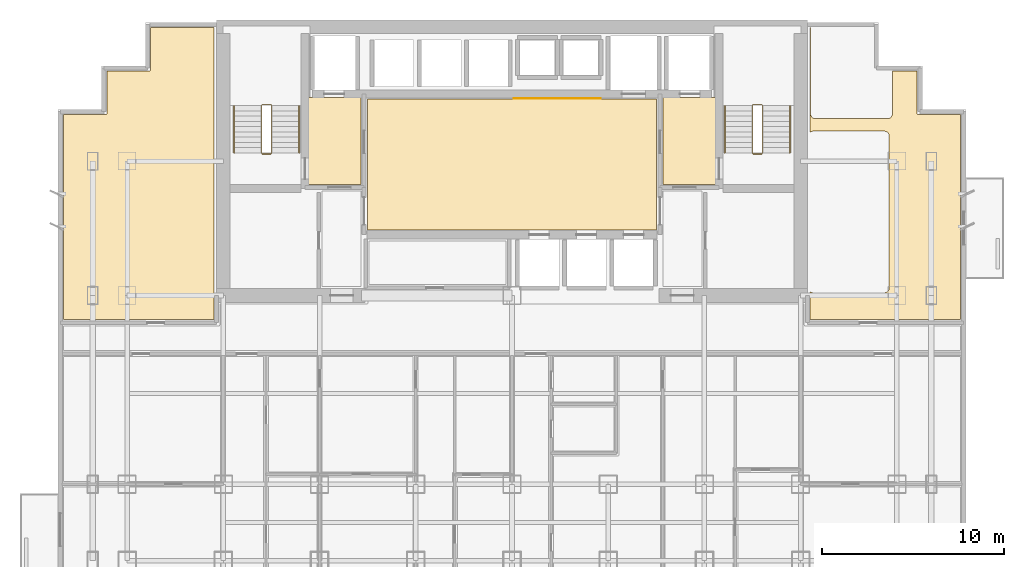
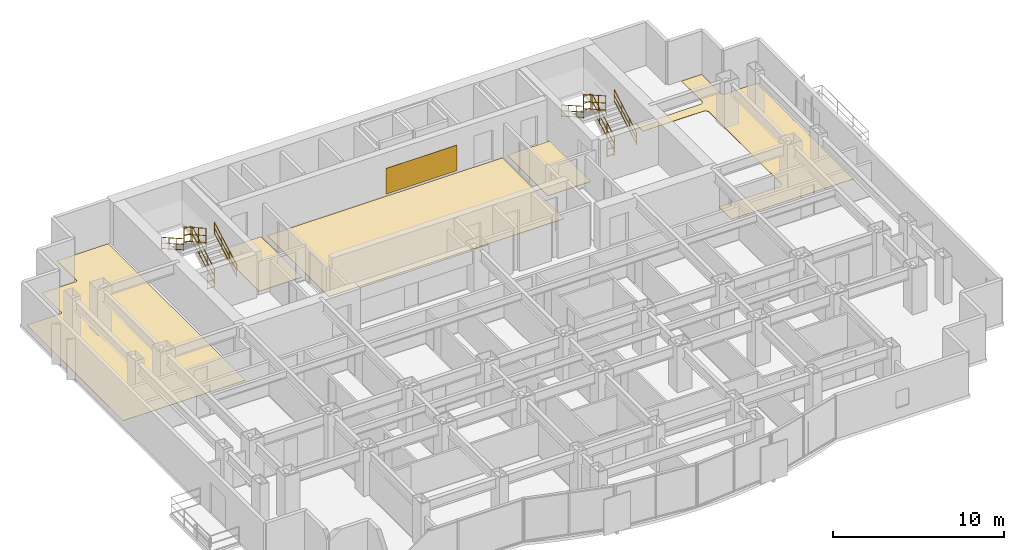
# One storey, part 10 of 10: 12 railings, 6 coverings.
"""IFC4 building model written with IfcOpenShell, lengths in metres."""

from ifc_helpers import new_model, si_unit, direction, frame, origin, origin_2d, place, context, subcontext, project, spatial, polyline, circle, outline, extrude, material, layer, layer_set, type_object, element, save


model = new_model("IFC4")

# Units and contexts
model_context = context("Model", 3, precision=1e-05, world=origin(), true_north=direction((0.0, 1.0)))
body_context = subcontext(model_context, "Body", "Model", "MODEL_VIEW")
ifc_project = project(units=[si_unit("LENGTHUNIT", "METRE"), si_unit("AREAUNIT", "SQUARE_METRE"), si_unit("VOLUMEUNIT", "CUBIC_METRE"), si_unit("PLANEANGLEUNIT", "RADIAN"), si_unit("MASSUNIT", "GRAM", prefix="KILO")], contexts=[model_context])

# Site, building, storey
site_placement = place(None, origin())
site = spatial("IfcSite", under=ifc_project, at=site_placement, CompositionType="ELEMENT")
building_placement = place(site_placement, origin())
building = spatial("IfcBuilding", under=site, at=building_placement, Name="Qianlan Lanfeng Residences", CompositionType="ELEMENT")
storey_placement = place(building_placement, frame((0.0, 0.0, 98.199951171875)))
storey = spatial("IfcBuildingStorey", under=building, at=storey_placement, Name="L26", CompositionType="ELEMENT", Elevation=98.199951171875)

# Coverings
ifc_material_1 = material(Name="Anodised Bronze Feature Wall Cladding")
ifc_layer_1 = layer(ifc_material_1, 0.02490234375)
ifc_layer_set_1 = layer_set([ifc_layer_1], Name="Anodised Bronze Feature Wall Cladding")
covering_type_1 = type_object("IfcCoveringType", Name="CLD-BRZ-25", PredefinedType="CLADDING", material=ifc_layer_set_1)
covering_1_placement = place(storey_placement, frame((0.0, 0.0, 0.150146484375)))
element("IfcCovering", 1, at=covering_1_placement, inside=storey, type_object=covering_type_1, Name="L26 Lift Lobby Bronze Feature Cladding", PredefinedType="CLADDING", context=body_context, shape_type="SweptSolid", body=[
    extrude(outline(polyline([(26.60009765625, 36.050048828125), (31.39990234375, 36.050048828125), (31.39990234375, 36.074951171875), (26.60009765625, 36.074951171875), (26.60009765625, 36.050048828125)])), origin(), (0.0, 0.0, 1.0), 1.829833984375),
])
ifc_material_2 = material(Name="Honed Taitung Granite Stone Flooring", Category="masonry")
ifc_layer_2 = layer(ifc_material_2, 0.030029296875)
ifc_layer_set_2 = layer_set([ifc_layer_2], Name="Honed Taitung Granite Stone Flooring")
covering_type_2 = type_object("IfcCoveringType", Name="FLR-STN-30", PredefinedType="FLOORING", material=ifc_layer_set_2)
covering_2_placement = place(storey_placement, origin())
element("IfcCovering", 2, at=covering_2_placement, inside=storey, type_object=covering_type_2, Name="L26 Firefighting Lift Lobby Floor Finish", PredefinedType="FLOORING", context=body_context, shape_type="SweptSolid", body=[
    extrude(outline(polyline([(15.2900390625, 31.320068359375), (18.179931640625, 31.320068359375), (18.179931640625, 36.110107421875), (15.2900390625, 36.110107421875), (15.2900390625, 31.320068359375)])), origin(), (0.0, 0.0, 1.0), 0.030029296875),
])
covering_3_placement = place(storey_placement, origin())
element("IfcCovering", 3, at=covering_3_placement, inside=storey, type_object=covering_type_2, Name="L26 Firefighting Lift Lobby Floor Finish", PredefinedType="FLOORING", context=body_context, shape_type="SweptSolid", body=[
    extrude(outline(polyline([(34.820068359375, 31.320068359375), (37.7099609375, 31.320068359375), (37.7099609375, 36.110107421875), (34.820068359375, 36.110107421875), (34.820068359375, 31.320068359375)])), origin(), (0.0, 0.0, 1.0), 0.030029296875),
])
covering_4_placement = place(storey_placement, origin())
element("IfcCovering", 4, at=covering_4_placement, inside=storey, type_object=covering_type_2, Name="L26 Lift Lobby Floor Finish", PredefinedType="FLOORING", context=body_context, shape_type="SweptSolid", body=[
    extrude(outline(polyline([(18.550048828125, 28.820068359375), (34.449951171875, 28.820068359375), (34.449951171875, 36.010009765625), (18.550048828125, 36.010009765625), (18.550048828125, 28.820068359375)])), origin(), (0.0, 0.0, 1.0), 0.030029296875),
])
ifc_material_3 = material(Name="Engineered Smoked Oak Timber Flooring", Category="wood")
ifc_layer_3 = layer(ifc_material_3, 0.02197265625)
ifc_layer_set_3 = layer_set([ifc_layer_3], Name="Engineered Smoked Oak Timber Flooring")
covering_type_3 = type_object("IfcCoveringType", Name="FLR-TIM-22", PredefinedType="FLOORING", material=ifc_layer_set_3)
covering_5_placement = place(storey_placement, origin())
element("IfcCovering", 5, at=covering_5_placement, inside=storey, type_object=covering_type_3, Name="L26 Sky Salon Floor Finish", PredefinedType="FLOORING", context=body_context, shape_type="SweptSolid", body=[
    extrude(outline(polyline([(10.074951171875, 23.8701171875), (10.074951171875, 39.9599609375), (6.590087890625, 39.9599609375), (6.590087890625, 37.6298828125), (6.590087890625, 37.623046875), (6.589111328125, 37.615966796875), (6.5869140625, 37.610107421875), (6.5849609375, 37.60302734375), (6.58203125, 37.596923828125), (6.577880859375, 37.591064453125), (6.573974609375, 37.5859375), (6.569091796875, 37.5810546875), (6.56396484375, 37.575927734375), (6.55908203125, 37.572021484375), (6.552978515625, 37.568115234375), (6.547119140625, 37.56494140625), (6.5400390625, 37.56298828125), (6.533935546875, 37.56103515625), (6.527099609375, 37.56005859375), (6.52001953125, 37.56005859375), (4.18994140625, 37.56005859375), (4.18994140625, 35.22998046875), (4.18994140625, 35.222900390625), (4.18896484375, 35.216064453125), (4.18701171875, 35.2099609375), (4.18505859375, 35.202880859375), (4.181884765625, 35.197021484375), (4.177978515625, 35.19091796875), (4.174072265625, 35.18603515625), (4.1689453125, 35.180908203125), (4.1640625, 35.176025390625), (4.158935546875, 35.172119140625), (4.153076171875, 35.16796875), (4.14697265625, 35.1650390625), (4.139892578125, 35.1630859375), (4.134033203125, 35.160888671875), (4.126953125, 35.159912109375), (4.1201171875, 35.159912109375), (1.7900390625, 35.159912109375), (1.7900390625, 23.8701171875), (10.074951171875, 23.8701171875)])), origin(), (0.0, 0.0, 1.0), 0.02197265625),
])
covering_6_placement = place(storey_placement, origin())
element("IfcCovering", 6, at=covering_6_placement, inside=storey, type_object=covering_type_3, Name="L26 Sky Salon Floor Finish", PredefinedType="FLOORING", context=body_context, shape_type="SweptSolid", body=[
    extrude(outline(polyline([(42.925048828125, 23.8701171875), (51.2099609375, 23.8701171875), (51.2099609375, 35.159912109375), (48.8798828125, 35.159912109375), (48.873046875, 35.159912109375), (48.865966796875, 35.160888671875), (48.860107421875, 35.1630859375), (48.85302734375, 35.1650390625), (48.846923828125, 35.16796875), (48.841064453125, 35.172119140625), (48.8359375, 35.176025390625), (48.8310546875, 35.180908203125), (48.825927734375, 35.18603515625), (48.822021484375, 35.19091796875), (48.818115234375, 35.197021484375), (48.81494140625, 35.202880859375), (48.81298828125, 35.2099609375), (48.81103515625, 35.216064453125), (48.81005859375, 35.222900390625), (48.81005859375, 35.22998046875), (48.81005859375, 37.56005859375), (47.449951171875, 37.56005859375), (47.449951171875, 35.199951171875), (47.448974609375, 35.175048828125), (47.445068359375, 35.15087890625), (47.43896484375, 35.126953125), (47.430908203125, 35.10400390625), (47.419921875, 35.08203125), (47.407958984375, 35.06103515625), (47.39306640625, 35.041015625), (47.376953125, 35.02294921875), (47.35888671875, 35.007080078125), (47.339111328125, 34.991943359375), (47.318115234375, 34.97998046875), (47.2958984375, 34.968994140625), (47.27294921875, 34.9609375), (47.2490234375, 34.955078125), (47.22509765625, 34.950927734375), (47.199951171875, 34.949951171875), (43.199951171875, 34.949951171875), (43.175048828125, 34.950927734375), (43.15087890625, 34.955078125), (43.126953125, 34.9609375), (43.10400390625, 34.968994140625), (43.08203125, 34.97998046875), (43.06103515625, 34.991943359375), (43.041015625, 35.007080078125), (43.02294921875, 35.02294921875), (43.007080078125, 35.041015625), (42.991943359375, 35.06103515625), (42.97998046875, 35.08203125), (42.968994140625, 35.10400390625), (42.9609375, 35.126953125), (42.955078125, 35.15087890625), (42.950927734375, 35.175048828125), (42.949951171875, 35.199951171875), (42.949951171875, 39.9599609375), (42.925048828125, 39.9599609375), (42.925048828125, 34.196044921875), (42.94091796875, 34.2080078125), (42.9619140625, 34.219970703125), (42.98388671875, 34.23095703125), (43.007080078125, 34.239013671875), (43.031005859375, 34.2451171875), (43.054931640625, 34.2490234375), (43.080078125, 34.25), (47.02001953125, 34.25), (47.044921875, 34.2490234375), (47.069091796875, 34.2451171875), (47.093017578125, 34.239013671875), (47.115966796875, 34.23095703125), (47.137939453125, 34.219970703125), (47.158935546875, 34.2080078125), (47.178955078125, 34.193115234375), (47.197021484375, 34.177001953125), (47.212890625, 34.158935546875), (47.22802734375, 34.138916015625), (47.239990234375, 34.117919921875), (47.2509765625, 34.095947265625), (47.259033203125, 34.072998046875), (47.264892578125, 34.049072265625), (47.26904296875, 34.02490234375), (47.27001953125, 34.0), (47.27001953125, 25.60009765625), (47.26904296875, 25.574951171875), (47.264892578125, 25.551025390625), (47.259033203125, 25.527099609375), (47.2509765625, 25.50390625), (47.239990234375, 25.48193359375), (47.22802734375, 25.4609375), (47.212890625, 25.44091796875), (47.197021484375, 25.423095703125), (47.178955078125, 25.406982421875), (47.158935546875, 25.39208984375), (47.137939453125, 25.3798828125), (47.115966796875, 25.368896484375), (47.093017578125, 25.361083984375), (47.069091796875, 25.35498046875), (47.044921875, 25.35107421875), (47.02001953125, 25.35009765625), (43.080078125, 25.35009765625), (43.054931640625, 25.35107421875), (43.031005859375, 25.35498046875), (43.007080078125, 25.361083984375), (42.98388671875, 25.368896484375), (42.9619140625, 25.3798828125), (42.94091796875, 25.39208984375), (42.925048828125, 25.404052734375), (42.925048828125, 23.8701171875)])), origin(), (0.0, 0.0, 1.0), 0.02197265625),
])

# Railings
ifc_material_4 = material(Name="Painted Galvanised Steel Guardrail", Category="steel")
railing_type_1 = type_object("IfcRailingType", Name="GR-ST-1120", PredefinedType="GUARDRAIL", material=ifc_material_4)
railing_1_placement = place(storey_placement, frame((13.27001953125, 33.050048828125, 0.1650390625)))
element("IfcRailing", 7, at=railing_1_placement, inside=storey, type_object=railing_type_1, Name="L26 ST-1 stair guard 1", PredefinedType="GUARDRAIL", context=body_context, shape_type="SweptSolid", body=[
    extrude(circle(Radius=0.02392578125, at=origin_2d()), frame((0.0, 0.0, 0.083984375), z_axis=(0.0, 0.869137319866, 0.494570843475), x_axis=(-1.0, 0.0, 0.0)), (0.0, 0.0, 1.0), 3.0029296875),
    extrude(circle(Radius=0.02392578125, at=origin_2d()), frame((0.0, 0.0, 0.58251953125), z_axis=(0.0, 0.869137319866, 0.494570843475), x_axis=(-1.0, 0.0, 0.0)), (0.0, 0.0, 1.0), 3.0029296875),
    extrude(circle(Radius=0.02392578125, at=origin_2d()), frame((0.0, 0.0, 1.09619140625), z_axis=(0.0, 0.869137319866, 0.494570843475), x_axis=(-1.0, 0.0, 0.0)), (0.0, 0.0, 1.0), 3.0029296875),
    extrude(circle(Radius=0.02099609375, at=origin_2d()), origin(), (0.0, 0.0, 1.0), 1.072021484375),
    extrude(circle(Radius=0.02099609375, at=origin_2d()), frame((0.0, 0.869873046875, 0.4951171875)), (0.0, 0.0, 1.0), 1.072021484375),
    extrude(circle(Radius=0.02099609375, at=origin_2d()), frame((0.0, 1.739990234375, 0.989990234375)), (0.0, 0.0, 1.0), 1.072021484375),
    extrude(circle(Radius=0.02099609375, at=origin_2d()), frame((0.0, 2.60986328125, 1.485107421875)), (0.0, 0.0, 1.0), 1.072021484375),
])
railing_2_placement = place(storey_placement, frame((13.219970703125, 35.7099609375, 1.650146484375)))
element("IfcRailing", 8, at=railing_2_placement, inside=storey, type_object=railing_type_1, Name="L26 ST-1 stair guard 2", PredefinedType="GUARDRAIL", context=body_context, shape_type="SweptSolid", body=[
    extrude(circle(Radius=0.02392578125, at=origin_2d()), frame((0.0, 0.0, 0.083984375), z_axis=(-1.0, 0.0, 0.0), x_axis=(0.0, -1.0, 0.0)), (0.0, 0.0, 1.0), 0.47998046875),
    extrude(circle(Radius=0.02392578125, at=origin_2d()), frame((0.0, 0.0, 0.58251953125), z_axis=(-1.0, 0.0, 0.0), x_axis=(0.0, -1.0, 0.0)), (0.0, 0.0, 1.0), 0.47998046875),
    extrude(circle(Radius=0.02392578125, at=origin_2d()), frame((0.0, 0.0, 1.09619140625), z_axis=(-1.0, 0.0, 0.0), x_axis=(0.0, -1.0, 0.0)), (0.0, 0.0, 1.0), 0.47998046875),
    extrude(circle(Radius=0.02099609375, at=origin_2d()), origin(), (0.0, 0.0, 1.0), 1.072021484375),
    extrude(circle(Radius=0.02099609375, at=origin_2d()), frame((-0.47998046875, 0.0, 0.0)), (0.0, 0.0, 1.0), 1.072021484375),
])
railing_3_placement = place(storey_placement, frame((12.68994140625, 35.659912109375, 1.81494140625)))
element("IfcRailing", 9, at=railing_3_placement, inside=storey, type_object=railing_type_1, Name="L26 ST-1 stair guard 3", PredefinedType="GUARDRAIL", context=body_context, shape_type="SweptSolid", body=[
    extrude(circle(Radius=0.02392578125, at=origin_2d()), frame((0.0, 0.0, 0.083984375), z_axis=(0.0, -0.869137319866, 0.494570843475), x_axis=(1.0, 0.0, 0.0)), (0.0, 0.0, 1.0), 3.0029296875),
    extrude(circle(Radius=0.02392578125, at=origin_2d()), frame((0.0, 0.0, 0.58251953125), z_axis=(0.0, -0.869137319866, 0.494570843475), x_axis=(1.0, 0.0, 0.0)), (0.0, 0.0, 1.0), 3.0029296875),
    extrude(circle(Radius=0.02392578125, at=origin_2d()), frame((0.0, 0.0, 1.09619140625), z_axis=(0.0, -0.869137319866, 0.494570843475), x_axis=(1.0, 0.0, 0.0)), (0.0, 0.0, 1.0), 3.0029296875),
    extrude(circle(Radius=0.02099609375, at=origin_2d()), origin(), (0.0, 0.0, 1.0), 1.072021484375),
    extrude(circle(Radius=0.02099609375, at=origin_2d()), frame((0.0, -0.869873046875, 0.4951171875)), (0.0, 0.0, 1.0), 1.072021484375),
    extrude(circle(Radius=0.02099609375, at=origin_2d()), frame((0.0, -1.739990234375, 0.989990234375)), (0.0, 0.0, 1.0), 1.072021484375),
    extrude(circle(Radius=0.02099609375, at=origin_2d()), frame((0.0, -2.60986328125, 1.485107421875)), (0.0, 0.0, 1.0), 1.072021484375),
])
railing_4_placement = place(storey_placement, frame((13.219970703125, 33.0, 0.0)))
element("IfcRailing", 10, at=railing_4_placement, inside=storey, type_object=railing_type_1, Name="L26 ST-1 stair guard 4", PredefinedType="GUARDRAIL", context=body_context, shape_type="SweptSolid", body=[
    extrude(circle(Radius=0.02392578125, at=origin_2d()), frame((0.0, 0.0, 0.083984375), z_axis=(-1.0, 0.0, 0.0), x_axis=(0.0, -1.0, 0.0)), (0.0, 0.0, 1.0), 0.47998046875),
    extrude(circle(Radius=0.02392578125, at=origin_2d()), frame((0.0, 0.0, 0.58251953125), z_axis=(-1.0, 0.0, 0.0), x_axis=(0.0, -1.0, 0.0)), (0.0, 0.0, 1.0), 0.47998046875),
    extrude(circle(Radius=0.02392578125, at=origin_2d()), frame((0.0, 0.0, 1.09619140625), z_axis=(-1.0, 0.0, 0.0), x_axis=(0.0, -1.0, 0.0)), (0.0, 0.0, 1.0), 0.47998046875),
    extrude(circle(Radius=0.02099609375, at=origin_2d()), origin(), (0.0, 0.0, 1.0), 1.072021484375),
    extrude(circle(Radius=0.02099609375, at=origin_2d()), frame((-0.47998046875, 0.0, 0.0)), (0.0, 0.0, 1.0), 1.072021484375),
])
railing_5_placement = place(storey_placement, frame((40.31005859375, 33.050048828125, 0.1650390625)))
element("IfcRailing", 11, at=railing_5_placement, inside=storey, type_object=railing_type_1, Name="L26 ST-2 stair guard 1", PredefinedType="GUARDRAIL", context=body_context, shape_type="SweptSolid", body=[
    extrude(circle(Radius=0.02392578125, at=origin_2d()), frame((0.0, 0.0, 0.083984375), z_axis=(0.0, 0.869137319866, 0.494570843475), x_axis=(-1.0, 0.0, 0.0)), (0.0, 0.0, 1.0), 3.0029296875),
    extrude(circle(Radius=0.02392578125, at=origin_2d()), frame((0.0, 0.0, 0.58251953125), z_axis=(0.0, 0.869137319866, 0.494570843475), x_axis=(-1.0, 0.0, 0.0)), (0.0, 0.0, 1.0), 3.0029296875),
    extrude(circle(Radius=0.02392578125, at=origin_2d()), frame((0.0, 0.0, 1.09619140625), z_axis=(0.0, 0.869137319866, 0.494570843475), x_axis=(-1.0, 0.0, 0.0)), (0.0, 0.0, 1.0), 3.0029296875),
    extrude(circle(Radius=0.02099609375, at=origin_2d()), origin(), (0.0, 0.0, 1.0), 1.072021484375),
    extrude(circle(Radius=0.02099609375, at=origin_2d()), frame((0.0, 0.869873046875, 0.4951171875)), (0.0, 0.0, 1.0), 1.072021484375),
    extrude(circle(Radius=0.02099609375, at=origin_2d()), frame((0.0, 1.739990234375, 0.989990234375)), (0.0, 0.0, 1.0), 1.072021484375),
    extrude(circle(Radius=0.02099609375, at=origin_2d()), frame((0.0, 2.60986328125, 1.485107421875)), (0.0, 0.0, 1.0), 1.072021484375),
])
railing_6_placement = place(storey_placement, frame((40.260009765625, 35.7099609375, 1.650146484375)))
element("IfcRailing", 12, at=railing_6_placement, inside=storey, type_object=railing_type_1, Name="L26 ST-2 stair guard 2", PredefinedType="GUARDRAIL", context=body_context, shape_type="SweptSolid", body=[
    extrude(circle(Radius=0.02392578125, at=origin_2d()), frame((0.0, 0.0, 0.083984375), z_axis=(-1.0, 0.0, 0.0), x_axis=(0.0, -1.0, 0.0)), (0.0, 0.0, 1.0), 0.47998046875),
    extrude(circle(Radius=0.02392578125, at=origin_2d()), frame((0.0, 0.0, 0.58251953125), z_axis=(-1.0, 0.0, 0.0), x_axis=(0.0, -1.0, 0.0)), (0.0, 0.0, 1.0), 0.47998046875),
    extrude(circle(Radius=0.02392578125, at=origin_2d()), frame((0.0, 0.0, 1.09619140625), z_axis=(-1.0, 0.0, 0.0), x_axis=(0.0, -1.0, 0.0)), (0.0, 0.0, 1.0), 0.47998046875),
    extrude(circle(Radius=0.02099609375, at=origin_2d()), origin(), (0.0, 0.0, 1.0), 1.072021484375),
    extrude(circle(Radius=0.02099609375, at=origin_2d()), frame((-0.47998046875, 0.0, 0.0)), (0.0, 0.0, 1.0), 1.072021484375),
])
railing_7_placement = place(storey_placement, frame((39.72998046875, 35.659912109375, 1.81494140625)))
element("IfcRailing", 13, at=railing_7_placement, inside=storey, type_object=railing_type_1, Name="L26 ST-2 stair guard 3", PredefinedType="GUARDRAIL", context=body_context, shape_type="SweptSolid", body=[
    extrude(circle(Radius=0.02392578125, at=origin_2d()), frame((0.0, 0.0, 0.083984375), z_axis=(0.0, -0.869137319866, 0.494570843475), x_axis=(1.0, 0.0, 0.0)), (0.0, 0.0, 1.0), 3.0029296875),
    extrude(circle(Radius=0.02392578125, at=origin_2d()), frame((0.0, 0.0, 0.58251953125), z_axis=(0.0, -0.869137319866, 0.494570843475), x_axis=(1.0, 0.0, 0.0)), (0.0, 0.0, 1.0), 3.0029296875),
    extrude(circle(Radius=0.02392578125, at=origin_2d()), frame((0.0, 0.0, 1.09619140625), z_axis=(0.0, -0.869137319866, 0.494570843475), x_axis=(1.0, 0.0, 0.0)), (0.0, 0.0, 1.0), 3.0029296875),
    extrude(circle(Radius=0.02099609375, at=origin_2d()), origin(), (0.0, 0.0, 1.0), 1.072021484375),
    extrude(circle(Radius=0.02099609375, at=origin_2d()), frame((0.0, -0.869873046875, 0.4951171875)), (0.0, 0.0, 1.0), 1.072021484375),
    extrude(circle(Radius=0.02099609375, at=origin_2d()), frame((0.0, -1.739990234375, 0.989990234375)), (0.0, 0.0, 1.0), 1.072021484375),
    extrude(circle(Radius=0.02099609375, at=origin_2d()), frame((0.0, -2.60986328125, 1.485107421875)), (0.0, 0.0, 1.0), 1.072021484375),
])
railing_8_placement = place(storey_placement, frame((40.260009765625, 33.0, 0.0)))
element("IfcRailing", 14, at=railing_8_placement, inside=storey, type_object=railing_type_1, Name="L26 ST-2 stair guard 4", PredefinedType="GUARDRAIL", context=body_context, shape_type="SweptSolid", body=[
    extrude(circle(Radius=0.02392578125, at=origin_2d()), frame((0.0, 0.0, 0.083984375), z_axis=(-1.0, 0.0, 0.0), x_axis=(0.0, -1.0, 0.0)), (0.0, 0.0, 1.0), 0.47998046875),
    extrude(circle(Radius=0.02392578125, at=origin_2d()), frame((0.0, 0.0, 0.58251953125), z_axis=(-1.0, 0.0, 0.0), x_axis=(0.0, -1.0, 0.0)), (0.0, 0.0, 1.0), 0.47998046875),
    extrude(circle(Radius=0.02392578125, at=origin_2d()), frame((0.0, 0.0, 1.09619140625), z_axis=(-1.0, 0.0, 0.0), x_axis=(0.0, -1.0, 0.0)), (0.0, 0.0, 1.0), 0.47998046875),
    extrude(circle(Radius=0.02099609375, at=origin_2d()), origin(), (0.0, 0.0, 1.0), 1.072021484375),
    extrude(circle(Radius=0.02099609375, at=origin_2d()), frame((-0.47998046875, 0.0, 0.0)), (0.0, 0.0, 1.0), 1.072021484375),
])
ifc_material_5 = material(Name="Brushed Stainless Steel Handrail", Category="steel")
railing_type_2 = type_object("IfcRailingType", Name="HR-ST-920", PredefinedType="HANDRAIL", material=ifc_material_5)
railing_9_placement = place(storey_placement, frame((14.77001953125, 33.050048828125, 0.1650390625)))
element("IfcRailing", 15, at=railing_9_placement, inside=storey, type_object=railing_type_2, Name="L26 ST-1 stair handrail 1", PredefinedType="HANDRAIL", context=body_context, shape_type="SweptSolid", body=[
    extrude(circle(Radius=0.02392578125, at=origin_2d()), frame((0.0, 0.0, 0.083984375), z_axis=(0.0, 0.869137319866, 0.494570843475), x_axis=(-1.0, 0.0, 0.0)), (0.0, 0.0, 1.0), 3.0029296875),
    extrude(circle(Radius=0.02392578125, at=origin_2d()), frame((0.0, 0.0, 0.468017578125), z_axis=(0.0, 0.869137319866, 0.494570843475), x_axis=(-1.0, 0.0, 0.0)), (0.0, 0.0, 1.0), 3.0029296875),
    extrude(circle(Radius=0.02392578125, at=origin_2d()), frame((0.0, 0.0, 0.8759765625), z_axis=(0.0, 0.869137319866, 0.494570843475), x_axis=(-1.0, 0.0, 0.0)), (0.0, 0.0, 1.0), 3.0029296875),
    extrude(circle(Radius=0.02099609375, at=origin_2d()), origin(), (0.0, 0.0, 1.0), 0.851806640625),
    extrude(circle(Radius=0.02099609375, at=origin_2d()), frame((0.0, 0.869873046875, 0.4951171875)), (0.0, 0.0, 1.0), 0.851806640625),
    extrude(circle(Radius=0.02099609375, at=origin_2d()), frame((0.0, 1.739990234375, 0.989990234375)), (0.0, 0.0, 1.0), 0.851806640625),
    extrude(circle(Radius=0.02099609375, at=origin_2d()), frame((0.0, 2.60986328125, 1.485107421875)), (0.0, 0.0, 1.0), 0.851806640625),
])
railing_10_placement = place(storey_placement, frame((11.18994140625, 35.659912109375, 1.81494140625)))
element("IfcRailing", 16, at=railing_10_placement, inside=storey, type_object=railing_type_2, Name="L26 ST-1 stair handrail 2", PredefinedType="HANDRAIL", context=body_context, shape_type="SweptSolid", body=[
    extrude(circle(Radius=0.02392578125, at=origin_2d()), frame((0.0, 0.0, 0.083984375), z_axis=(0.0, -0.869137319866, 0.494570843475), x_axis=(1.0, 0.0, 0.0)), (0.0, 0.0, 1.0), 3.0029296875),
    extrude(circle(Radius=0.02392578125, at=origin_2d()), frame((0.0, 0.0, 0.468017578125), z_axis=(0.0, -0.869137319866, 0.494570843475), x_axis=(1.0, 0.0, 0.0)), (0.0, 0.0, 1.0), 3.0029296875),
    extrude(circle(Radius=0.02392578125, at=origin_2d()), frame((0.0, 0.0, 0.8759765625), z_axis=(0.0, -0.869137319866, 0.494570843475), x_axis=(1.0, 0.0, 0.0)), (0.0, 0.0, 1.0), 3.0029296875),
    extrude(circle(Radius=0.02099609375, at=origin_2d()), origin(), (0.0, 0.0, 1.0), 0.851806640625),
    extrude(circle(Radius=0.02099609375, at=origin_2d()), frame((0.0, -0.869873046875, 0.4951171875)), (0.0, 0.0, 1.0), 0.851806640625),
    extrude(circle(Radius=0.02099609375, at=origin_2d()), frame((0.0, -1.739990234375, 0.989990234375)), (0.0, 0.0, 1.0), 0.851806640625),
    extrude(circle(Radius=0.02099609375, at=origin_2d()), frame((0.0, -2.60986328125, 1.485107421875)), (0.0, 0.0, 1.0), 0.851806640625),
])
railing_11_placement = place(storey_placement, frame((41.81005859375, 33.050048828125, 0.1650390625)))
element("IfcRailing", 17, at=railing_11_placement, inside=storey, type_object=railing_type_2, Name="L26 ST-2 stair handrail 1", PredefinedType="HANDRAIL", context=body_context, shape_type="SweptSolid", body=[
    extrude(circle(Radius=0.02392578125, at=origin_2d()), frame((0.0, 0.0, 0.083984375), z_axis=(0.0, 0.869137319866, 0.494570843475), x_axis=(-1.0, 0.0, 0.0)), (0.0, 0.0, 1.0), 3.0029296875),
    extrude(circle(Radius=0.02392578125, at=origin_2d()), frame((0.0, 0.0, 0.468017578125), z_axis=(0.0, 0.869137319866, 0.494570843475), x_axis=(-1.0, 0.0, 0.0)), (0.0, 0.0, 1.0), 3.0029296875),
    extrude(circle(Radius=0.02392578125, at=origin_2d()), frame((0.0, 0.0, 0.8759765625), z_axis=(0.0, 0.869137319866, 0.494570843475), x_axis=(-1.0, 0.0, 0.0)), (0.0, 0.0, 1.0), 3.0029296875),
    extrude(circle(Radius=0.02099609375, at=origin_2d()), origin(), (0.0, 0.0, 1.0), 0.851806640625),
    extrude(circle(Radius=0.02099609375, at=origin_2d()), frame((0.0, 0.869873046875, 0.4951171875)), (0.0, 0.0, 1.0), 0.851806640625),
    extrude(circle(Radius=0.02099609375, at=origin_2d()), frame((0.0, 1.739990234375, 0.989990234375)), (0.0, 0.0, 1.0), 0.851806640625),
    extrude(circle(Radius=0.02099609375, at=origin_2d()), frame((0.0, 2.60986328125, 1.485107421875)), (0.0, 0.0, 1.0), 0.851806640625),
])
railing_12_placement = place(storey_placement, frame((38.22998046875, 35.659912109375, 1.81494140625)))
element("IfcRailing", 18, at=railing_12_placement, inside=storey, type_object=railing_type_2, Name="L26 ST-2 stair handrail 2", PredefinedType="HANDRAIL", context=body_context, shape_type="SweptSolid", body=[
    extrude(circle(Radius=0.02392578125, at=origin_2d()), frame((0.0, 0.0, 0.083984375), z_axis=(0.0, -0.869137319866, 0.494570843475), x_axis=(1.0, 0.0, 0.0)), (0.0, 0.0, 1.0), 3.0029296875),
    extrude(circle(Radius=0.02392578125, at=origin_2d()), frame((0.0, 0.0, 0.468017578125), z_axis=(0.0, -0.869137319866, 0.494570843475), x_axis=(1.0, 0.0, 0.0)), (0.0, 0.0, 1.0), 3.0029296875),
    extrude(circle(Radius=0.02392578125, at=origin_2d()), frame((0.0, 0.0, 0.8759765625), z_axis=(0.0, -0.869137319866, 0.494570843475), x_axis=(1.0, 0.0, 0.0)), (0.0, 0.0, 1.0), 3.0029296875),
    extrude(circle(Radius=0.02099609375, at=origin_2d()), origin(), (0.0, 0.0, 1.0), 0.851806640625),
    extrude(circle(Radius=0.02099609375, at=origin_2d()), frame((0.0, -0.869873046875, 0.4951171875)), (0.0, 0.0, 1.0), 0.851806640625),
    extrude(circle(Radius=0.02099609375, at=origin_2d()), frame((0.0, -1.739990234375, 0.989990234375)), (0.0, 0.0, 1.0), 0.851806640625),
    extrude(circle(Radius=0.02099609375, at=origin_2d()), frame((0.0, -2.60986328125, 1.485107421875)), (0.0, 0.0, 1.0), 0.851806640625),
])

save(model, "model.ifc")
